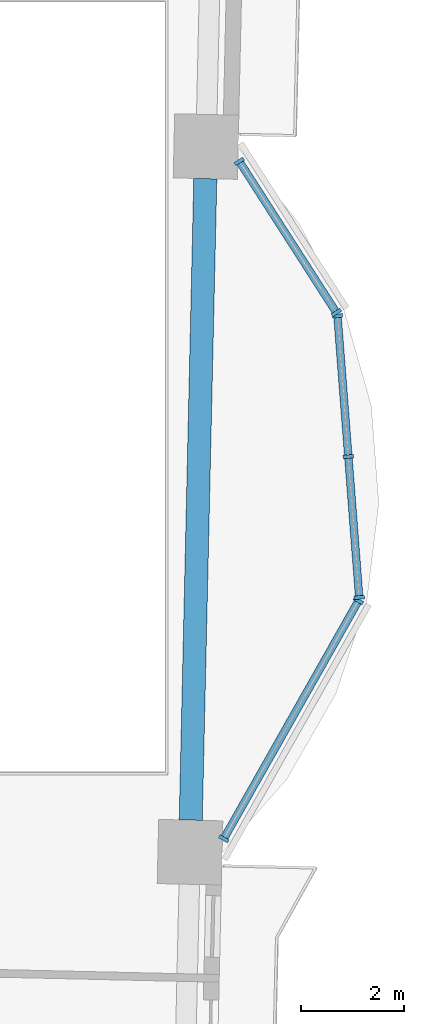
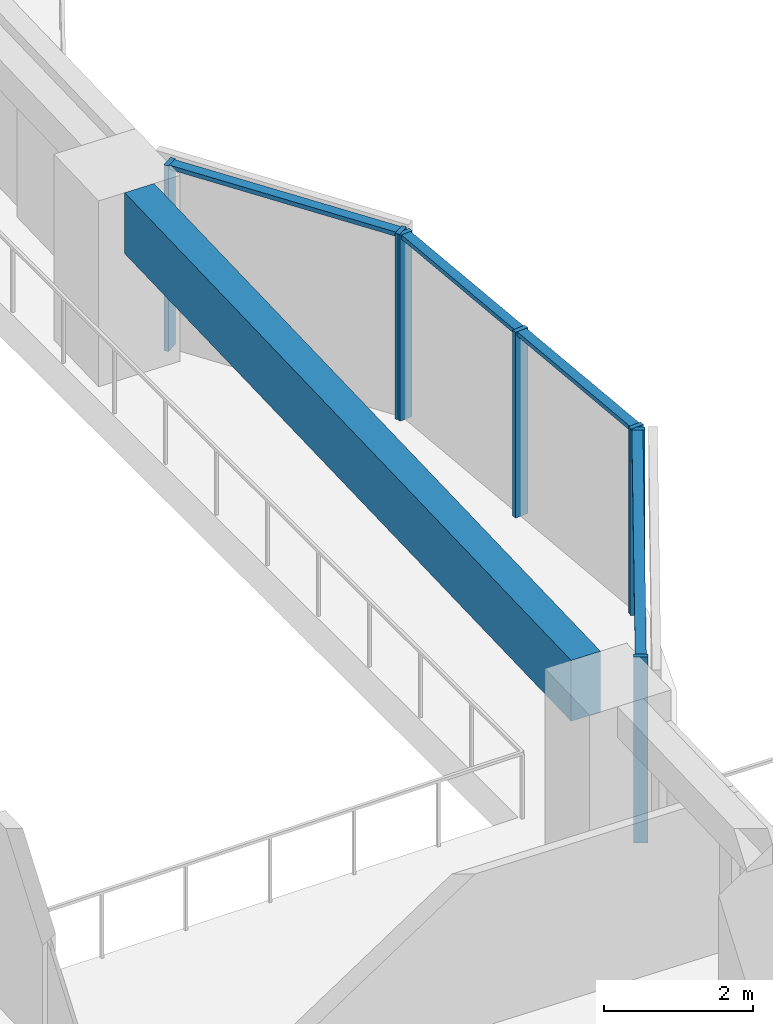
# One storey, part 2 of 14: 11 members, 1 beam, 3 elements without a shape of their own.
"""IFC4 building model written with IfcOpenShell, lengths in metres."""

import ifcopenshell
import ifcopenshell.guid

model = None  # the IFC model being written
_history = None  # IfcOwnerHistory: only IFC2X3 demands one
_inside = {}  # id of a spatial element -> (the spatial element, [elements in it])
_under = {}  # id of a project, library or spatial element -> (it, [spatial elements below it])
_declared = {}  # id of a project -> (the project, [libraries it declares])
_typed = {}  # id of a type object -> (the type object, [elements of that type])
_made_of = {}  # id of a material, layer set ... -> (it, [elements and type objects made of it])


def new_model(schema):
    """Start an empty IFC model of exactly this schema.

    Asked for "IFC4X3", IfcOpenShell would pick the latest addendum, in which some entities
    have other attributes; the version numbers below select the first issue.
    IFC2X3 requires an IfcOwnerHistory on every rooted entity: one is made here for all.
    """
    global model, _history
    if schema == "IFC4X3":
        model = ifcopenshell.file(schema_version=(4, 3, 0, 0))
    else:
        model = ifcopenshell.file(schema=schema)
    _inside.clear()
    _under.clear()
    _declared.clear()
    _typed.clear()
    _made_of.clear()
    _history = None
    if model.schema == "IFC2X3":
        org = make("IfcOrganization", Name="unknown")
        user = make(
            "IfcPersonAndOrganization",
            ThePerson=make("IfcPerson", FamilyName="unknown"),
            TheOrganization=org,
        )
        app = make(
            "IfcApplication",
            ApplicationDeveloper=org,
            Version="unknown",
            ApplicationFullName="unknown",
            ApplicationIdentifier="unknown",
        )
        _history = make(
            "IfcOwnerHistory",
            OwningUser=user,
            OwningApplication=app,
            ChangeAction="ADDED",
            CreationDate=0,
        )
    return model


def make(cls, **values):
    """One entity of the class cls with the attributes given. An attribute that is None is left unset."""
    return model.create_entity(
        cls, **{name: value for name, value in values.items() if value is not None}
    )


def rooted(cls, **values):
    """An entity with a GlobalId (a new one), such as an element, a storey or a relation."""
    return make(cls, GlobalId=ifcopenshell.guid.new(), OwnerHistory=_history, **values)


def si_unit(unit_type, name, prefix=None):
    """IfcSIUnit, for example si_unit("LENGTHUNIT", "METRE", prefix="MILLI")."""
    return make("IfcSIUnit", UnitType=unit_type, Prefix=prefix, Name=name)


def assignment(units):
    """IfcUnitAssignment: the units of a project."""
    return None if units is None else make("IfcUnitAssignment", Units=units)


def point(xyz):
    """IfcCartesianPoint."""
    return None if xyz is None else make("IfcCartesianPoint", Coordinates=xyz)


def direction(xyz):
    """IfcDirection."""
    return None if xyz is None else make("IfcDirection", DirectionRatios=xyz)


def frame(location, z_axis=None, x_axis=None):
    """IfcAxis2Placement3D, a coordinate frame: its origin and axes. An axis left out is left unset."""
    return make(
        "IfcAxis2Placement3D",
        Location=point(location),
        Axis=direction(z_axis),
        RefDirection=direction(x_axis),
    )


def frame_2d(location, x_axis=None):
    """IfcAxis2Placement2D, a coordinate frame in the plane: its origin and x axis."""
    return make(
        "IfcAxis2Placement2D", Location=point(location), RefDirection=direction(x_axis)
    )


def origin():
    """The frame at (0, 0, 0) with its axes left unset."""
    return frame((0.0, 0.0, 0.0))


def origin_2d():
    """The frame at (0, 0) in the plane with its x axis left unset."""
    return frame_2d((0.0, 0.0))


def place(relative_to, where):
    """IfcLocalPlacement: puts the frame where relative to a parent placement (None: the world)."""
    return make(
        "IfcLocalPlacement", PlacementRelTo=relative_to, RelativePlacement=where
    )


def context(
    kind, dimensions, precision=None, world=None, true_north=None, identifier=None
):
    """IfcGeometricRepresentationContext, for example the 3D "Model" context."""
    return make(
        "IfcGeometricRepresentationContext",
        ContextIdentifier=identifier,
        ContextType=kind,
        CoordinateSpaceDimension=dimensions,
        Precision=precision,
        WorldCoordinateSystem=world,
        TrueNorth=true_north,
    )


def subcontext(parent, identifier, kind, view, scale=None):
    """IfcGeometricRepresentationSubContext, for example "Body" below "Model"."""
    return make(
        "IfcGeometricRepresentationSubContext",
        ContextIdentifier=identifier,
        ContextType=kind,
        ParentContext=parent,
        TargetScale=scale,
        TargetView=view,
    )


def project(units=None, contexts=None):
    """IfcProject with its units and contexts."""
    return rooted(
        "IfcProject",
        Name="project",
        RepresentationContexts=contexts,
        UnitsInContext=assignment(units),
    )


def spatial(cls, under=None, at=None, **own):
    """A site, building, storey or space (cls), placed at a placement, below another one or the project."""
    s = rooted(cls, ObjectPlacement=at, **own)
    if under is not None:
        _under.setdefault(under.id(), (under, []))[1].append(s)
    return s


def profile(cls, at=None, kind="AREA", **sizes):
    """A parametric profile (cls). Its sizes go by their IFC names, for example OverallWidth=200.0."""
    return make(cls, ProfileType=kind, Position=at, **sizes)


def rectangle(**sizes):
    """IfcRectangleProfileDef."""
    return profile("IfcRectangleProfileDef", **sizes)


def extrude(swept, where, along, depth):
    """IfcExtrudedAreaSolid: the profile swept, set in the frame where, extruded along a direction by depth."""
    return make(
        "IfcExtrudedAreaSolid",
        SweptArea=swept,
        Position=where,
        ExtrudedDirection=direction(along),
        Depth=depth,
    )


def shape(context_of_items, identifier, shape_type, items):
    """IfcShapeRepresentation: the items that make up one representation, for example the "Body"."""
    return make(
        "IfcShapeRepresentation",
        ContextOfItems=context_of_items,
        RepresentationIdentifier=identifier,
        RepresentationType=shape_type,
        Items=items,
    )


def material(Name=None, Category=None):
    """IfcMaterial."""
    return make("IfcMaterial", Name=Name, Category=Category)


def material_profile(
    of_material, cross_section, Name=None, Category=None, Priority=None
):
    """IfcMaterialProfile: a cross section and its material."""
    return make(
        "IfcMaterialProfile",
        Name=Name,
        Material=of_material,
        Profile=cross_section,
        Priority=Priority,
        Category=Category,
    )


def profile_set(profiles, Name=None, composite=None):
    """IfcMaterialProfileSet."""
    return make(
        "IfcMaterialProfileSet",
        Name=Name,
        MaterialProfiles=profiles,
        CompositeProfile=composite,
    )


def made_of(thing, what):
    """Note that an element or type object is made of a material, layer set ...; save() writes the relation."""
    if what is not None:
        _made_of.setdefault(what.id(), (what, []))[1].append(thing)
    return thing


def type_object(cls, material=None, **own):
    """A type object (cls), such as IfcWallType, which elements share."""
    return made_of(rooted(cls, **own), material)


def element(
    cls,
    number,
    at=None,
    inside=None,
    cuts=None,
    type_object=None,
    material=None,
    context=None,
    identifier="Body",
    shape_type=None,
    held_by="IfcProductDefinitionShape",
    body=None,
    shapes=None,
    **own,
):
    """One element of the class cls, such as IfcWall. Its Tag is "e" and its number.

    at: its placement. inside: the storey or other place that contains it. cuts: it is an
    opening in that element (IfcRelVoidsElement). A single representation is given by context,
    identifier, shape_type and body (its items); several are given by shapes. held_by: the class
    of the entity that holds the representations. save() writes the other relations.
    """
    e = rooted(cls, Tag="e%d" % number, ObjectPlacement=at, **own)
    if body is not None:
        shapes = [shape(context, identifier, shape_type, body)]
    if shapes is not None:
        e.Representation = make(held_by, Representations=shapes)
    if inside is not None:
        _inside.setdefault(inside.id(), (inside, []))[1].append(e)
    if cuts is not None:
        rooted(
            "IfcRelVoidsElement", RelatingBuildingElement=cuts, RelatedOpeningElement=e
        )
    if type_object is not None:
        _typed.setdefault(type_object.id(), (type_object, []))[1].append(e)
    return made_of(e, material)


def aggregate(whole, parts):
    """IfcRelAggregates: a whole, such as a stair, and the parts it consists of."""
    return rooted("IfcRelAggregates", RelatingObject=whole, RelatedObjects=parts)


def save(model, path):
    """Write the relations noted so far, then the file.

    IfcRelAggregates (storeys below a building ...), IfcRelContainedInSpatialStructure (elements
    in a storey), IfcRelDefinesByType, IfcRelAssociatesMaterial and IfcRelDeclares: one each for
    every whole, place, type object, material and project.
    """
    for whole, parts in _under.values():
        aggregate(whole, parts)
    for where, things in _inside.values():
        rooted(
            "IfcRelContainedInSpatialStructure",
            RelatedElements=things,
            RelatingStructure=where,
        )
    for kind, things in _typed.values():
        rooted("IfcRelDefinesByType", RelatedObjects=things, RelatingType=kind)
    for what, things in _made_of.values():
        rooted("IfcRelAssociatesMaterial", RelatedObjects=things, RelatingMaterial=what)
    for by, libraries in _declared.values():
        rooted("IfcRelDeclares", RelatingContext=by, RelatedDefinitions=libraries)
    model.write(path)


model = new_model("IFC4")

# Units and contexts
model_context = context("Model", 3, precision=1e-05, world=origin(), true_north=direction((0.0, 1.0)))
body_context = subcontext(model_context, "Body", "Model", "MODEL_VIEW")
ifc_project = project(units=[si_unit("LENGTHUNIT", "METRE"), si_unit("AREAUNIT", "SQUARE_METRE"), si_unit("VOLUMEUNIT", "CUBIC_METRE"), si_unit("PLANEANGLEUNIT", "RADIAN"), si_unit("MASSUNIT", "GRAM", prefix="KILO")], contexts=[model_context])

# Site, building, storey
site_placement = place(None, origin())
site = spatial("IfcSite", under=ifc_project, at=site_placement, CompositionType="ELEMENT")
building_placement = place(site_placement, origin())
building = spatial("IfcBuilding", under=site, at=building_placement, Name="Mangrove Gate Tower", CompositionType="ELEMENT")
storey_placement = place(building_placement, frame((0.0, 0.0, 152.699951171875)))
storey = spatial("IfcBuildingStorey", under=building, at=storey_placement, Name="L38", CompositionType="ELEMENT", Elevation=152.699951171875)

# Curtain wall, members
ifc_material_1 = material(Name="Aluminium and glass curtain wall", Category="aluminium")
curtain_wall_type = type_object("IfcCurtainWallType", Name="Atrium garden-court glazing wall", PredefinedType="NOTDEFINED", material=ifc_material_1)
curtain_wall_1_placement = place(storey_placement, origin())
curtain_wall_1 = element("IfcCurtainWall", 1, at=curtain_wall_1_placement, inside=storey, type_object=curtain_wall_type, Name="Atrium garden-court glazing E1f1", PredefinedType="NOTDEFINED")
ifc_material_2 = material(Name="Aluminium alloy 6063-T6", Category="aluminium")
ifc_material_profile_1 = material_profile(ifc_material_2, rectangle(XDim=0.070068359375, YDim=0.199951171875, at=origin_2d()))
ifc_profile_set_1 = profile_set([ifc_material_profile_1], Name="Aluminium alloy 6063-T6")
member_type_1 = type_object("IfcMemberType", Name="Atrium garden-court glazing mullion 70x200", PredefinedType="MULLION", material=ifc_profile_set_1)
member_1_placement = place(storey_placement, frame((26.11083984375, -8.806884765625, 0.0), z_axis=(0.0, 0.0, 1.0), x_axis=(0.492564461279, 0.870275962833, 0.0)))
member_1 = element("IfcMember", 2, at=member_1_placement, type_object=member_type_1, Name="CWA mullion 1", PredefinedType="MULLION", context=body_context, shape_type="SweptSolid", body=[
    extrude(rectangle(XDim=0.070068359375, YDim=0.199951171875, at=origin_2d()), origin(), (0.0, 0.0, 1.0), 3.050048828125),
])
member_2_placement = place(storey_placement, frame((28.73486328125, -4.17041015625, 0.0), z_axis=(0.0, 0.0, 1.0), x_axis=(0.492564461279, 0.870275962833, 0.0)))
member_2 = element("IfcMember", 3, at=member_2_placement, type_object=member_type_1, Name="CWA mullion 2", PredefinedType="MULLION", context=body_context, shape_type="SweptSolid", body=[
    extrude(rectangle(XDim=0.070068359375, YDim=0.199951171875, at=origin_2d()), origin(), (0.0, 0.0, 1.0), 3.050048828125),
])

curtain_wall_2_placement = place(storey_placement, origin())
curtain_wall_2 = element("IfcCurtainWall", 4, at=curtain_wall_2_placement, inside=storey, type_object=curtain_wall_type, Name="Atrium garden-court glazing E1f2", PredefinedType="NOTDEFINED")
member_3_placement = place(storey_placement, frame((28.74951171875, -4.105224609375, 0.0), z_axis=(0.0, 0.0, 1.0), x_axis=(-0.077023348403, 0.997029289339, 0.0)))
member_3 = element("IfcMember", 5, at=member_3_placement, type_object=member_type_1, Name="CWA mullion 1", PredefinedType="MULLION", context=body_context, shape_type="SweptSolid", body=[
    extrude(rectangle(XDim=0.070068359375, YDim=0.199951171875, at=origin_2d()), origin(), (0.0, 0.0, 1.0), 3.050048828125),
])
member_4_placement = place(storey_placement, frame((28.53759765625, -1.361572265625, 0.0), z_axis=(0.0, 0.0, 1.0), x_axis=(-0.077023348403, 0.997029289339, 0.0)))
member_4 = element("IfcMember", 6, at=member_4_placement, type_object=member_type_1, Name="CWA mullion 2", PredefinedType="MULLION", context=body_context, shape_type="SweptSolid", body=[
    extrude(rectangle(XDim=0.070068359375, YDim=0.199951171875, at=origin_2d()), origin(), (0.0, 0.0, 1.0), 3.050048828125),
])
member_5_placement = place(storey_placement, frame((28.32568359375, 1.382080078125, 0.0), z_axis=(0.0, 0.0, 1.0), x_axis=(-0.077023348403, 0.997029289339, 0.0)))
member_5 = element("IfcMember", 7, at=member_5_placement, type_object=member_type_1, Name="CWA mullion 3", PredefinedType="MULLION", context=body_context, shape_type="SweptSolid", body=[
    extrude(rectangle(XDim=0.070068359375, YDim=0.199951171875, at=origin_2d()), origin(), (0.0, 0.0, 1.0), 3.050048828125),
])

curtain_wall_3_placement = place(storey_placement, origin())
curtain_wall_3 = element("IfcCurtainWall", 8, at=curtain_wall_3_placement, inside=storey, type_object=curtain_wall_type, Name="Atrium garden-court glazing E1f3", PredefinedType="NOTDEFINED")
member_6_placement = place(storey_placement, frame((28.303955078125, 1.4462890625, 0.0), z_axis=(0.0, 0.0, 1.0), x_axis=(-0.540496322894, 0.841346376315, 0.0)))
member_6 = element("IfcMember", 9, at=member_6_placement, type_object=member_type_1, Name="CWA mullion 1", PredefinedType="MULLION", context=body_context, shape_type="SweptSolid", body=[
    extrude(rectangle(XDim=0.070068359375, YDim=0.199951171875, at=origin_2d()), origin(), (0.0, 0.0, 1.0), 3.050048828125),
])
member_7_placement = place(storey_placement, frame((26.413330078125, 4.389404296875, 0.0), z_axis=(0.0, 0.0, 1.0), x_axis=(-0.540496322894, 0.841346376315, 0.0)))
member_7 = element("IfcMember", 10, at=member_7_placement, type_object=member_type_1, Name="CWA mullion 2", PredefinedType="MULLION", context=body_context, shape_type="SweptSolid", body=[
    extrude(rectangle(XDim=0.070068359375, YDim=0.199951171875, at=origin_2d()), origin(), (0.0, 0.0, 1.0), 3.050048828125),
])

# Member
ifc_material_3 = material(Name="Aluminium alloy 6063-T6", Category="aluminium")
ifc_material_profile_2 = material_profile(ifc_material_3, rectangle(XDim=0.070068359375, YDim=0.14990234375, at=origin_2d()))
ifc_profile_set_2 = profile_set([ifc_material_profile_2], Name="Aluminium alloy 6063-T6")
member_type_2 = type_object("IfcMemberType", Name="Atrium garden-court glazing transom 70x150", PredefinedType="USERDEFINED", material=ifc_profile_set_2)
member_8_placement = place(storey_placement, frame((26.128173828125, -8.7763671875, 3.01513671875), z_axis=(0.4925590689, 0.870279014825, 0.0), x_axis=(0.0, 0.0, 1.0)))
member_8 = element("IfcMember", 11, at=member_8_placement, type_object=member_type_2, Name="CWA transom 1.2", ObjectType="TRANSOM", PredefinedType="USERDEFINED", context=body_context, shape_type="SweptSolid", body=[
    extrude(rectangle(XDim=0.070068359375, YDim=0.14990234375, at=origin_2d()), origin(), (0.0, 0.0, 1.0), 5.25732421875),
])

aggregate(curtain_wall_1, [member_1, member_2, member_8])

member_9_placement = place(storey_placement, frame((28.746826171875, -4.0703125, 3.01513671875), z_axis=(-0.07701672858, 0.997029800718, 0.0), x_axis=(0.0, 0.0, 1.0)))
member_9 = element("IfcMember", 12, at=member_9_placement, type_object=member_type_2, Name="CWA transom 1.2", ObjectType="TRANSOM", PredefinedType="USERDEFINED", context=body_context, shape_type="SweptSolid", body=[
    extrude(rectangle(XDim=0.070068359375, YDim=0.14990234375, at=origin_2d()), origin(), (0.0, 0.0, 1.0), 2.681884765625),
])

member_10_placement = place(storey_placement, frame((28.534912109375, -1.32666015625, 3.01513671875), z_axis=(-0.07701672858, 0.997029800718, 0.0), x_axis=(0.0, 0.0, 1.0)))
member_10 = element("IfcMember", 13, at=member_10_placement, type_object=member_type_2, Name="CWA transom 2.2", ObjectType="TRANSOM", PredefinedType="USERDEFINED", context=body_context, shape_type="SweptSolid", body=[
    extrude(rectangle(XDim=0.070068359375, YDim=0.14990234375, at=origin_2d()), origin(), (0.0, 0.0, 1.0), 2.681884765625),
])

aggregate(curtain_wall_2, [member_3, member_4, member_5, member_9, member_10])

member_11_placement = place(storey_placement, frame((28.28515625, 1.475830078125, 3.01513671875), z_axis=(-0.540501990771, 0.84134273514, 0.0), x_axis=(0.0, 0.0, 1.0)))
member_11 = element("IfcMember", 14, at=member_11_placement, type_object=member_type_2, Name="CWA transom 1.2", ObjectType="TRANSOM", PredefinedType="USERDEFINED", context=body_context, shape_type="SweptSolid", body=[
    extrude(rectangle(XDim=0.070068359375, YDim=0.14990234375, at=origin_2d()), origin(), (0.0, 0.0, 1.0), 3.427978515625),
])

aggregate(curtain_wall_3, [member_6, member_7, member_11])

# Beam
ifc_material_4 = material(Name="Concrete C50/60", Category="concrete")
ifc_material_profile_3 = material_profile(ifc_material_4, rectangle(XDim=0.449951171875, YDim=1.0, at=origin_2d()))
ifc_profile_set_3 = profile_set([ifc_material_profile_3], Name="Concrete C50/60")
beam_type = type_object("IfcBeamType", Name="Edge beam RC 450x1000 C50/60", PredefinedType="BEAM", material=ifc_profile_set_3)
beam_placement = place(storey_placement, frame((25.46728515625, -8.44384765625, 2.550048828125), z_axis=(0.022693013796, 0.999742480404, 0.0), x_axis=(-0.999742480404, 0.022693013796, 0.0)))
element("IfcBeam", 15, at=beam_placement, inside=storey, type_object=beam_type, Name="Edge beam L38 14", PredefinedType="BEAM", context=body_context, shape_type="SweptSolid", body=[
    extrude(rectangle(XDim=0.449951171875, YDim=1.0, at=origin_2d()), origin(), (0.0, 0.0, 1.0), 12.501220703125),
])

save(model, "model.ifc")
